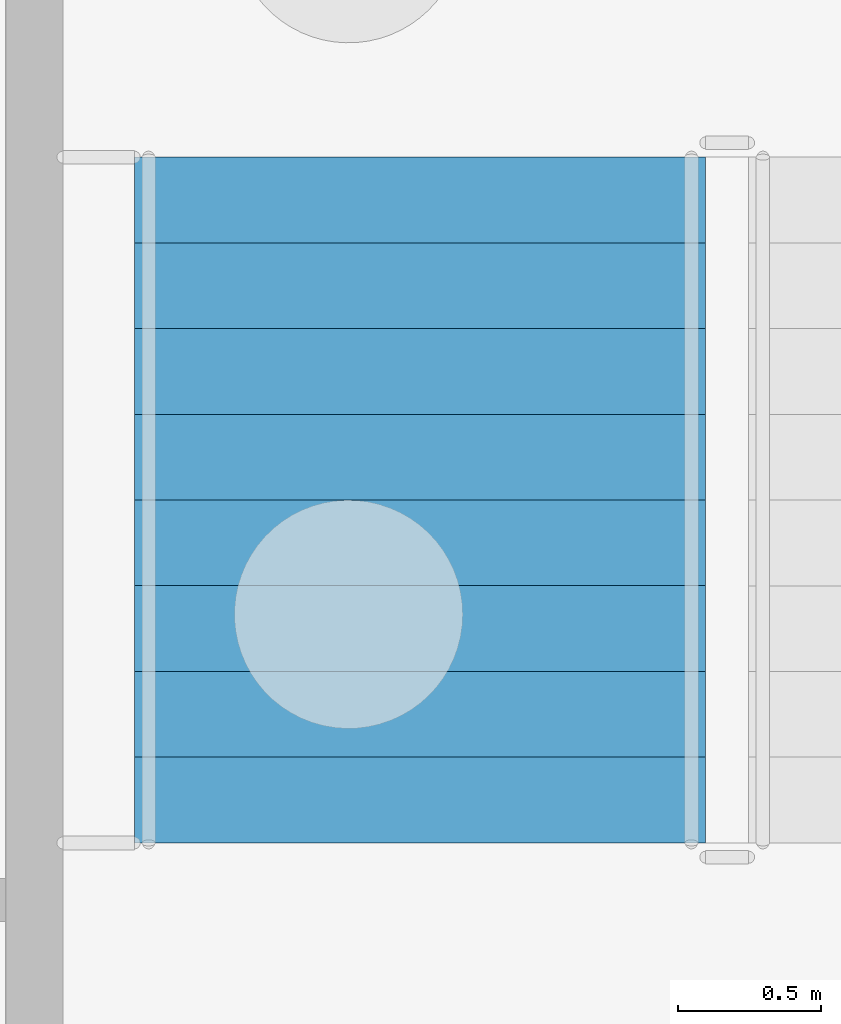
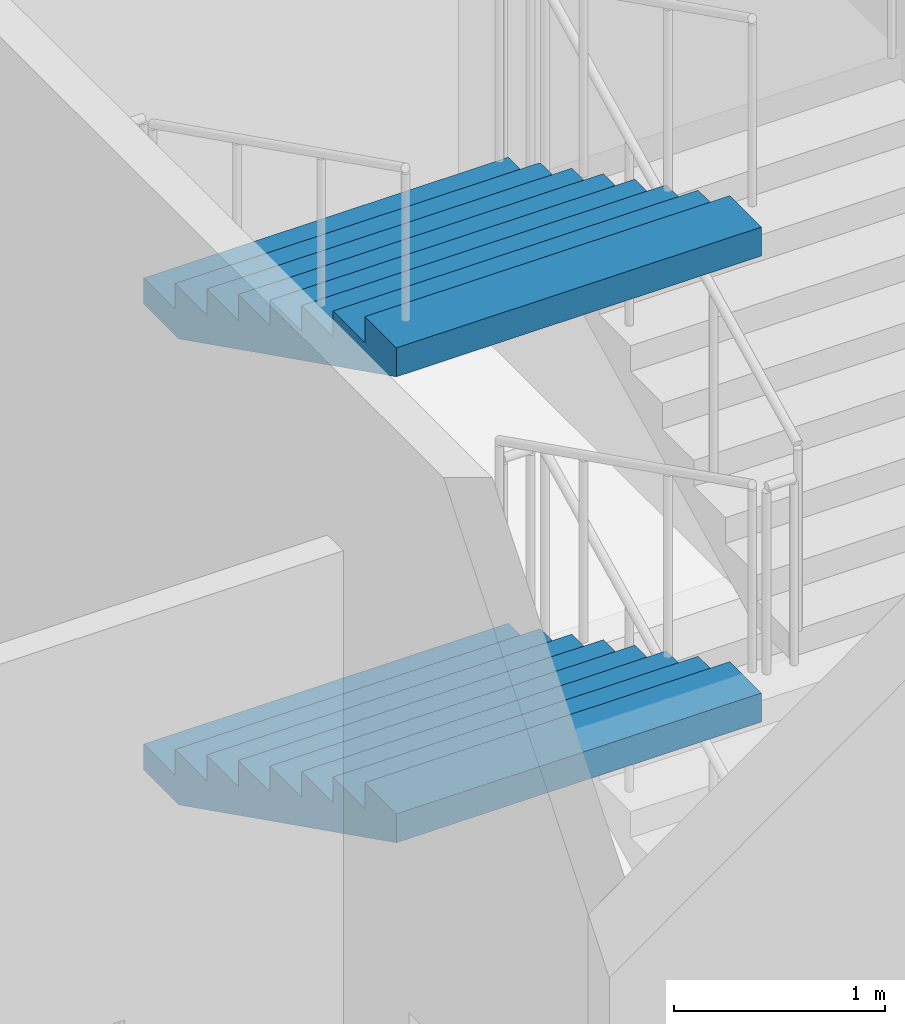
# One storey, part 70 of 129: 2 stair flights, 1 element without a shape of its own.
"""IFC4 building model written with IfcOpenShell, lengths in metres."""

from ifc_helpers import new_model, si_unit, direction, frame, origin, place, context, subcontext, project, spatial, faceted_brep, material, type_object, element, aggregate, save


model = new_model("IFC4")

# Units and contexts
model_context = context("Model", 3, precision=1e-05, world=origin(), true_north=direction((0.0, 1.0)))
body_context = subcontext(model_context, "Body", "Model", "MODEL_VIEW")
ifc_project = project(units=[si_unit("LENGTHUNIT", "METRE"), si_unit("AREAUNIT", "SQUARE_METRE"), si_unit("VOLUMEUNIT", "CUBIC_METRE"), si_unit("PLANEANGLEUNIT", "RADIAN"), si_unit("MASSUNIT", "GRAM", prefix="KILO")], contexts=[model_context])

# Site, building, storey
site_placement = place(None, origin())
site = spatial("IfcSite", under=ifc_project, at=site_placement, CompositionType="ELEMENT")
building_placement = place(site_placement, origin())
building = spatial("IfcBuilding", under=site, at=building_placement, Name="Kiln Court Media Centre", CompositionType="ELEMENT")
storey_placement = place(building_placement, origin())
storey = spatial("IfcBuildingStorey", under=building, at=storey_placement, Name="L00", CompositionType="ELEMENT", Elevation=0.0)

# Stair, stair flights
ifc_material_1 = material(Name="Concrete C40/50", Category="concrete")
stair_type = type_object("IfcStairType", Name="Concrete C40/50 dog-leg stair 2000 wide, 150 riser", PredefinedType="HALF_TURN_STAIR", material=ifc_material_1)
stair_placement = place(storey_placement, origin())
stair = element("IfcStair", 1, at=stair_placement, inside=storey, type_object=stair_type, Name="ST-05 L00", PredefinedType="HALF_TURN_STAIR")
ifc_material_2 = material(Name="Concrete C40/50", Category="concrete")
stair_flight_type = type_object("IfcStairFlightType", Name="Concrete C40/50 stair flight 2000 wide, 150 riser, 300 going", PredefinedType="STRAIGHT", material=ifc_material_2)
stair_flight_1_placement = place(storey_placement, frame((55.449951171875, 20.800048828125, 1.35009765625), z_axis=(0.0, 0.0, 1.0), x_axis=(0.0, -1.0, 0.0)))
stair_flight_1 = element("IfcStairFlight", 2, at=stair_flight_1_placement, type_object=stair_flight_type, Name="L00-ST-5004 flight 5017", NumberOfRisers=9, NumberOfTreads=8, PredefinedType="STRAIGHT", RiserHeight=0.15, TreadLength=0.3, context=body_context, shape_type="Brep", body=[
    faceted_brep([(0.335205078125, -1.0, 0.0), (2.39990234375, -1.0, 1.032470703125), (2.39990234375, -1.0, 1.199951171875), (2.10009765625, -1.0, 1.199951171875), (2.10009765625, -1.0, 1.050048828125), (1.800048828125, -1.0, 1.050048828125), (1.800048828125, -1.0, 0.89990234375), (1.5, -1.0, 0.89990234375), (1.5, -1.0, 0.75), (1.199951171875, -1.0, 0.75), (1.199951171875, -1.0, 0.60009765625), (0.89990234375, -1.0, 0.60009765625), (0.89990234375, -1.0, 0.449951171875), (0.60009765625, -1.0, 0.449951171875), (0.60009765625, -1.0, 0.300048828125), (0.300048828125, -1.0, 0.300048828125), (0.300048828125, -1.0, 0.14990234375), (0.0, -1.0, 0.14990234375), (0.0, -1.0, 0.0), (0.0, 1.0, 0.0), (0.0, 1.0, 0.14990234375), (0.300048828125, 1.0, 0.14990234375), (0.300048828125, 1.0, 0.300048828125), (0.60009765625, 1.0, 0.300048828125), (0.60009765625, 1.0, 0.449951171875), (0.89990234375, 1.0, 0.449951171875), (0.89990234375, 1.0, 0.60009765625), (1.199951171875, 1.0, 0.60009765625), (1.199951171875, 1.0, 0.75), (1.5, 1.0, 0.75), (1.5, 1.0, 0.89990234375), (1.800048828125, 1.0, 0.89990234375), (1.800048828125, 1.0, 1.050048828125), (2.10009765625, 1.0, 1.050048828125), (2.10009765625, 1.0, 1.199951171875), (2.39990234375, 1.0, 1.199951171875), (2.39990234375, 1.0, 1.032470703125), (0.335205078125, 1.0, 0.0), (2.39990234375, 0.10009765625, 1.032470703125), (0.335205078125, 0.10009765625, 0.0), (2.39990234375, 0.080078125, 1.032470703125), (0.335205078125, 0.080078125, 0.0), (2.39990234375, 0.06005859375, 1.032470703125), (0.335205078125, 0.06005859375, 0.0), (2.39990234375, 0.0400390625, 1.032470703125), (0.335205078125, 0.0400390625, 0.0), (2.39990234375, 0.02001953125, 1.032470703125), (0.335205078125, 0.02001953125, 0.0), (2.39990234375, 0.0, 1.032470703125), (0.335205078125, 0.0, 0.0), (2.39990234375, -0.02001953125, 1.032470703125), (0.335205078125, -0.02001953125, 0.0), (2.39990234375, -0.0400390625, 1.032470703125), (0.335205078125, -0.0400390625, 0.0), (2.39990234375, -0.06005859375, 1.032470703125), (0.335205078125, -0.06005859375, 0.0), (2.39990234375, -0.080078125, 1.032470703125), (0.335205078125, -0.080078125, 0.0), (2.39990234375, -0.10009765625, 1.032470703125), (0.335205078125, -0.10009765625, 0.0), (2.39990234375, 0.10009765625, 1.199951171875), (2.39990234375, 0.080078125, 1.199951171875), (2.39990234375, 0.06005859375, 1.199951171875), (2.39990234375, 0.0400390625, 1.199951171875), (2.39990234375, 0.02001953125, 1.199951171875), (2.39990234375, 0.0, 1.199951171875), (2.39990234375, -0.02001953125, 1.199951171875), (2.39990234375, -0.0400390625, 1.199951171875), (2.39990234375, -0.06005859375, 1.199951171875), (2.39990234375, -0.080078125, 1.199951171875), (2.39990234375, -0.10009765625, 1.199951171875), (2.10009765625, 0.10009765625, 1.199951171875), (2.10009765625, 0.080078125, 1.199951171875), (2.10009765625, 0.06005859375, 1.199951171875), (2.10009765625, 0.0400390625, 1.199951171875), (2.10009765625, 0.02001953125, 1.199951171875), (2.10009765625, 0.0, 1.199951171875), (2.10009765625, -0.02001953125, 1.199951171875), (2.10009765625, -0.0400390625, 1.199951171875), (2.10009765625, -0.06005859375, 1.199951171875), (2.10009765625, -0.080078125, 1.199951171875), (2.10009765625, -0.10009765625, 1.199951171875), (2.10009765625, 0.10009765625, 1.050048828125), (2.10009765625, 0.080078125, 1.050048828125), (2.10009765625, 0.06005859375, 1.050048828125), (2.10009765625, 0.0400390625, 1.050048828125), (2.10009765625, 0.02001953125, 1.050048828125), (2.10009765625, 0.0, 1.050048828125), (2.10009765625, -0.02001953125, 1.050048828125), (2.10009765625, -0.0400390625, 1.050048828125), (2.10009765625, -0.06005859375, 1.050048828125), (2.10009765625, -0.080078125, 1.050048828125), (2.10009765625, -0.10009765625, 1.050048828125), (1.800048828125, 0.10009765625, 1.050048828125), (1.800048828125, 0.080078125, 1.050048828125), (1.800048828125, 0.06005859375, 1.050048828125), (1.800048828125, 0.0400390625, 1.050048828125), (1.800048828125, 0.02001953125, 1.050048828125), (1.800048828125, 0.0, 1.050048828125), (1.800048828125, -0.02001953125, 1.050048828125), (1.800048828125, -0.0400390625, 1.050048828125), (1.800048828125, -0.06005859375, 1.050048828125), (1.800048828125, -0.080078125, 1.050048828125), (1.800048828125, -0.10009765625, 1.050048828125), (1.800048828125, 0.10009765625, 0.89990234375), (1.800048828125, 0.080078125, 0.89990234375), (1.800048828125, 0.06005859375, 0.89990234375), (1.800048828125, 0.0400390625, 0.89990234375), (1.800048828125, 0.02001953125, 0.89990234375), (1.800048828125, 0.0, 0.89990234375), (1.800048828125, -0.02001953125, 0.89990234375), (1.800048828125, -0.0400390625, 0.89990234375), (1.800048828125, -0.06005859375, 0.89990234375), (1.800048828125, -0.080078125, 0.89990234375), (1.800048828125, -0.10009765625, 0.89990234375), (1.5, 0.10009765625, 0.89990234375), (1.5, 0.080078125, 0.89990234375), (1.5, 0.06005859375, 0.89990234375), (1.5, 0.0400390625, 0.89990234375), (1.5, 0.02001953125, 0.89990234375), (1.5, 0.0, 0.89990234375), (1.5, -0.02001953125, 0.89990234375), (1.5, -0.0400390625, 0.89990234375), (1.5, -0.06005859375, 0.89990234375), (1.5, -0.080078125, 0.89990234375), (1.5, -0.10009765625, 0.89990234375), (1.5, 0.10009765625, 0.75), (1.5, 0.080078125, 0.75), (1.5, 0.06005859375, 0.75), (1.5, 0.0400390625, 0.75), (1.5, 0.02001953125, 0.75), (1.5, 0.0, 0.75), (1.5, -0.02001953125, 0.75), (1.5, -0.0400390625, 0.75), (1.5, -0.06005859375, 0.75), (1.5, -0.080078125, 0.75), (1.5, -0.10009765625, 0.75), (1.199951171875, 0.10009765625, 0.75), (1.199951171875, 0.080078125, 0.75), (1.199951171875, 0.06005859375, 0.75), (1.199951171875, 0.0400390625, 0.75), (1.199951171875, 0.02001953125, 0.75), (1.199951171875, 0.0, 0.75), (1.199951171875, -0.02001953125, 0.75), (1.199951171875, -0.0400390625, 0.75), (1.199951171875, -0.06005859375, 0.75), (1.199951171875, -0.080078125, 0.75), (1.199951171875, -0.10009765625, 0.75), (1.199951171875, 0.10009765625, 0.60009765625), (1.199951171875, 0.080078125, 0.60009765625), (1.199951171875, 0.06005859375, 0.60009765625), (1.199951171875, 0.0400390625, 0.60009765625), (1.199951171875, 0.02001953125, 0.60009765625), (1.199951171875, 0.0, 0.60009765625), (1.199951171875, -0.02001953125, 0.60009765625), (1.199951171875, -0.0400390625, 0.60009765625), (1.199951171875, -0.06005859375, 0.60009765625), (1.199951171875, -0.080078125, 0.60009765625), (1.199951171875, -0.10009765625, 0.60009765625), (0.89990234375, 0.10009765625, 0.60009765625), (0.89990234375, 0.080078125, 0.60009765625), (0.89990234375, 0.06005859375, 0.60009765625), (0.89990234375, 0.0400390625, 0.60009765625), (0.89990234375, 0.02001953125, 0.60009765625), (0.89990234375, 0.0, 0.60009765625), (0.89990234375, -0.02001953125, 0.60009765625), (0.89990234375, -0.0400390625, 0.60009765625), (0.89990234375, -0.06005859375, 0.60009765625), (0.89990234375, -0.080078125, 0.60009765625), (0.89990234375, -0.10009765625, 0.60009765625), (0.89990234375, 0.10009765625, 0.449951171875), (0.89990234375, 0.080078125, 0.449951171875), (0.89990234375, 0.06005859375, 0.449951171875), (0.89990234375, 0.0400390625, 0.449951171875), (0.89990234375, 0.02001953125, 0.449951171875), (0.89990234375, 0.0, 0.449951171875), (0.89990234375, -0.02001953125, 0.449951171875), (0.89990234375, -0.0400390625, 0.449951171875), (0.89990234375, -0.06005859375, 0.449951171875), (0.89990234375, -0.080078125, 0.449951171875), (0.89990234375, -0.10009765625, 0.449951171875), (0.60009765625, 0.10009765625, 0.449951171875), (0.60009765625, 0.080078125, 0.449951171875), (0.60009765625, 0.06005859375, 0.449951171875), (0.60009765625, 0.0400390625, 0.449951171875), (0.60009765625, 0.02001953125, 0.449951171875), (0.60009765625, 0.0, 0.449951171875), (0.60009765625, -0.02001953125, 0.449951171875), (0.60009765625, -0.0400390625, 0.449951171875), (0.60009765625, -0.06005859375, 0.449951171875), (0.60009765625, -0.080078125, 0.449951171875), (0.60009765625, -0.10009765625, 0.449951171875), (0.60009765625, 0.10009765625, 0.300048828125), (0.60009765625, 0.080078125, 0.300048828125), (0.60009765625, 0.06005859375, 0.300048828125), (0.60009765625, 0.0400390625, 0.300048828125), (0.60009765625, 0.02001953125, 0.300048828125), (0.60009765625, 0.0, 0.300048828125), (0.60009765625, -0.02001953125, 0.300048828125), (0.60009765625, -0.0400390625, 0.300048828125), (0.60009765625, -0.06005859375, 0.300048828125), (0.60009765625, -0.080078125, 0.300048828125), (0.60009765625, -0.10009765625, 0.300048828125), (0.300048828125, 0.10009765625, 0.300048828125), (0.300048828125, 0.080078125, 0.300048828125), (0.300048828125, 0.06005859375, 0.300048828125), (0.300048828125, 0.0400390625, 0.300048828125), (0.300048828125, 0.02001953125, 0.300048828125), (0.300048828125, 0.0, 0.300048828125), (0.300048828125, -0.02001953125, 0.300048828125), (0.300048828125, -0.0400390625, 0.300048828125), (0.300048828125, -0.06005859375, 0.300048828125), (0.300048828125, -0.080078125, 0.300048828125), (0.300048828125, -0.10009765625, 0.300048828125), (0.300048828125, 0.10009765625, 0.14990234375), (0.300048828125, 0.080078125, 0.14990234375), (0.300048828125, 0.06005859375, 0.14990234375), (0.300048828125, 0.0400390625, 0.14990234375), (0.300048828125, 0.02001953125, 0.14990234375), (0.300048828125, 0.0, 0.14990234375), (0.300048828125, -0.02001953125, 0.14990234375), (0.300048828125, -0.0400390625, 0.14990234375), (0.300048828125, -0.06005859375, 0.14990234375), (0.300048828125, -0.080078125, 0.14990234375), (0.300048828125, -0.10009765625, 0.14990234375), (0.0, 0.10009765625, 0.14990234375), (0.0, 0.080078125, 0.14990234375), (0.0, 0.06005859375, 0.14990234375), (0.0, 0.0400390625, 0.14990234375), (0.0, 0.02001953125, 0.14990234375), (0.0, 0.0, 0.14990234375), (0.0, -0.02001953125, 0.14990234375), (0.0, -0.0400390625, 0.14990234375), (0.0, -0.06005859375, 0.14990234375), (0.0, -0.080078125, 0.14990234375), (0.0, -0.10009765625, 0.14990234375), (0.0, 0.10009765625, 0.0), (0.0, 0.080078125, 0.0), (0.0, 0.06005859375, 0.0), (0.0, 0.0400390625, 0.0), (0.0, 0.02001953125, 0.0), (0.0, 0.0, 0.0), (0.0, -0.02001953125, 0.0), (0.0, -0.0400390625, 0.0), (0.0, -0.06005859375, 0.0), (0.0, -0.080078125, 0.0), (0.0, -0.10009765625, 0.0)], [[[0, 1, 2, 3, 4, 5, 6, 7, 8, 9, 10, 11, 12, 13, 14, 15, 16, 17, 18]], [[19, 20, 21, 22, 23, 24, 25, 26, 27, 28, 29, 30, 31, 32, 33, 34, 35, 36, 37]], [[37, 36, 38, 39]], [[39, 38, 40, 41]], [[41, 40, 42, 43]], [[43, 42, 44, 45]], [[45, 44, 46, 47]], [[47, 46, 48, 49]], [[49, 48, 50, 51]], [[51, 50, 52, 53]], [[53, 52, 54, 55]], [[55, 54, 56, 57]], [[57, 56, 58, 59]], [[59, 58, 1, 0]], [[36, 35, 60, 38]], [[38, 60, 61, 40]], [[40, 61, 62, 42]], [[42, 62, 63, 44]], [[44, 63, 64, 46]], [[46, 64, 65, 48]], [[48, 65, 66, 50]], [[50, 66, 67, 52]], [[52, 67, 68, 54]], [[54, 68, 69, 56]], [[56, 69, 70, 58]], [[58, 70, 2, 1]], [[35, 34, 71, 60]], [[60, 71, 72, 61]], [[61, 72, 73, 62]], [[62, 73, 74, 63]], [[63, 74, 75, 64]], [[64, 75, 76, 65]], [[65, 76, 77, 66]], [[66, 77, 78, 67]], [[67, 78, 79, 68]], [[68, 79, 80, 69]], [[69, 80, 81, 70]], [[70, 81, 3, 2]], [[34, 33, 82, 71]], [[71, 82, 83, 72]], [[72, 83, 84, 73]], [[73, 84, 85, 74]], [[74, 85, 86, 75]], [[75, 86, 87, 76]], [[76, 87, 88, 77]], [[77, 88, 89, 78]], [[78, 89, 90, 79]], [[79, 90, 91, 80]], [[80, 91, 92, 81]], [[81, 92, 4, 3]], [[33, 32, 93, 82]], [[82, 93, 94, 83]], [[83, 94, 95, 84]], [[84, 95, 96, 85]], [[85, 96, 97, 86]], [[86, 97, 98, 87]], [[87, 98, 99, 88]], [[88, 99, 100, 89]], [[89, 100, 101, 90]], [[90, 101, 102, 91]], [[91, 102, 103, 92]], [[92, 103, 5, 4]], [[32, 31, 104, 93]], [[93, 104, 105, 94]], [[94, 105, 106, 95]], [[95, 106, 107, 96]], [[96, 107, 108, 97]], [[97, 108, 109, 98]], [[98, 109, 110, 99]], [[99, 110, 111, 100]], [[100, 111, 112, 101]], [[101, 112, 113, 102]], [[102, 113, 114, 103]], [[103, 114, 6, 5]], [[31, 30, 115, 104]], [[104, 115, 116, 105]], [[105, 116, 117, 106]], [[106, 117, 118, 107]], [[107, 118, 119, 108]], [[108, 119, 120, 109]], [[109, 120, 121, 110]], [[110, 121, 122, 111]], [[111, 122, 123, 112]], [[112, 123, 124, 113]], [[113, 124, 125, 114]], [[114, 125, 7, 6]], [[30, 29, 126, 115]], [[115, 126, 127, 116]], [[116, 127, 128, 117]], [[117, 128, 129, 118]], [[118, 129, 130, 119]], [[119, 130, 131, 120]], [[120, 131, 132, 121]], [[121, 132, 133, 122]], [[122, 133, 134, 123]], [[123, 134, 135, 124]], [[124, 135, 136, 125]], [[125, 136, 8, 7]], [[29, 28, 137, 126]], [[126, 137, 138, 127]], [[127, 138, 139, 128]], [[128, 139, 140, 129]], [[129, 140, 141, 130]], [[130, 141, 142, 131]], [[131, 142, 143, 132]], [[132, 143, 144, 133]], [[133, 144, 145, 134]], [[134, 145, 146, 135]], [[135, 146, 147, 136]], [[136, 147, 9, 8]], [[28, 27, 148, 137]], [[137, 148, 149, 138]], [[138, 149, 150, 139]], [[139, 150, 151, 140]], [[140, 151, 152, 141]], [[141, 152, 153, 142]], [[142, 153, 154, 143]], [[143, 154, 155, 144]], [[144, 155, 156, 145]], [[145, 156, 157, 146]], [[146, 157, 158, 147]], [[147, 158, 10, 9]], [[27, 26, 159, 148]], [[148, 159, 160, 149]], [[149, 160, 161, 150]], [[150, 161, 162, 151]], [[151, 162, 163, 152]], [[152, 163, 164, 153]], [[153, 164, 165, 154]], [[154, 165, 166, 155]], [[155, 166, 167, 156]], [[156, 167, 168, 157]], [[157, 168, 169, 158]], [[158, 169, 11, 10]], [[26, 25, 170, 159]], [[159, 170, 171, 160]], [[160, 171, 172, 161]], [[161, 172, 173, 162]], [[162, 173, 174, 163]], [[163, 174, 175, 164]], [[164, 175, 176, 165]], [[165, 176, 177, 166]], [[166, 177, 178, 167]], [[167, 178, 179, 168]], [[168, 179, 180, 169]], [[169, 180, 12, 11]], [[25, 24, 181, 170]], [[170, 181, 182, 171]], [[171, 182, 183, 172]], [[172, 183, 184, 173]], [[173, 184, 185, 174]], [[174, 185, 186, 175]], [[175, 186, 187, 176]], [[176, 187, 188, 177]], [[177, 188, 189, 178]], [[178, 189, 190, 179]], [[179, 190, 191, 180]], [[180, 191, 13, 12]], [[24, 23, 192, 181]], [[181, 192, 193, 182]], [[182, 193, 194, 183]], [[183, 194, 195, 184]], [[184, 195, 196, 185]], [[185, 196, 197, 186]], [[186, 197, 198, 187]], [[187, 198, 199, 188]], [[188, 199, 200, 189]], [[189, 200, 201, 190]], [[190, 201, 202, 191]], [[191, 202, 14, 13]], [[23, 22, 203, 192]], [[192, 203, 204, 193]], [[193, 204, 205, 194]], [[194, 205, 206, 195]], [[195, 206, 207, 196]], [[196, 207, 208, 197]], [[197, 208, 209, 198]], [[198, 209, 210, 199]], [[199, 210, 211, 200]], [[200, 211, 212, 201]], [[201, 212, 213, 202]], [[202, 213, 15, 14]], [[22, 21, 214, 203]], [[203, 214, 215, 204]], [[204, 215, 216, 205]], [[205, 216, 217, 206]], [[206, 217, 218, 207]], [[207, 218, 219, 208]], [[208, 219, 220, 209]], [[209, 220, 221, 210]], [[210, 221, 222, 211]], [[211, 222, 223, 212]], [[212, 223, 224, 213]], [[213, 224, 16, 15]], [[21, 20, 225, 214]], [[214, 225, 226, 215]], [[215, 226, 227, 216]], [[216, 227, 228, 217]], [[217, 228, 229, 218]], [[218, 229, 230, 219]], [[219, 230, 231, 220]], [[220, 231, 232, 221]], [[221, 232, 233, 222]], [[222, 233, 234, 223]], [[223, 234, 235, 224]], [[224, 235, 17, 16]], [[20, 19, 236, 225]], [[225, 236, 237, 226]], [[226, 237, 238, 227]], [[227, 238, 239, 228]], [[228, 239, 240, 229]], [[229, 240, 241, 230]], [[230, 241, 242, 231]], [[231, 242, 243, 232]], [[232, 243, 244, 233]], [[233, 244, 245, 234]], [[234, 245, 246, 235]], [[235, 246, 18, 17]], [[19, 37, 39, 236]], [[236, 39, 41, 237]], [[237, 41, 43, 238]], [[238, 43, 45, 239]], [[239, 45, 47, 240]], [[240, 47, 49, 241]], [[241, 49, 51, 242]], [[242, 51, 53, 243]], [[243, 53, 55, 244]], [[244, 55, 57, 245]], [[245, 57, 59, 246]], [[246, 59, 0, 18]]]),
])
stair_flight_2_placement = place(storey_placement, frame((55.449951171875, 20.800048828125, 4.050048828125), z_axis=(0.0, 0.0, 1.0), x_axis=(0.0, -1.0, 0.0)))
stair_flight_2 = element("IfcStairFlight", 3, at=stair_flight_2_placement, type_object=stair_flight_type, Name="L00-ST-5004 flight 5019", NumberOfRisers=9, NumberOfTreads=8, PredefinedType="STRAIGHT", RiserHeight=0.15, TreadLength=0.3, context=body_context, shape_type="Brep", body=[
    faceted_brep([(0.335205078125, -1.0, 0.0), (2.39990234375, -1.0, 1.032470703125), (2.39990234375, -1.0, 1.199951171875), (2.10009765625, -1.0, 1.199951171875), (2.10009765625, -1.0, 1.050048828125), (1.800048828125, -1.0, 1.050048828125), (1.800048828125, -1.0, 0.89990234375), (1.5, -1.0, 0.89990234375), (1.5, -1.0, 0.75), (1.199951171875, -1.0, 0.75), (1.199951171875, -1.0, 0.60009765625), (0.89990234375, -1.0, 0.60009765625), (0.89990234375, -1.0, 0.449951171875), (0.60009765625, -1.0, 0.449951171875), (0.60009765625, -1.0, 0.300048828125), (0.300048828125, -1.0, 0.300048828125), (0.300048828125, -1.0, 0.14990234375), (0.0, -1.0, 0.14990234375), (0.0, -1.0, 0.0), (0.0, 1.0, 0.0), (0.0, 1.0, 0.14990234375), (0.300048828125, 1.0, 0.14990234375), (0.300048828125, 1.0, 0.300048828125), (0.60009765625, 1.0, 0.300048828125), (0.60009765625, 1.0, 0.449951171875), (0.89990234375, 1.0, 0.449951171875), (0.89990234375, 1.0, 0.60009765625), (1.199951171875, 1.0, 0.60009765625), (1.199951171875, 1.0, 0.75), (1.5, 1.0, 0.75), (1.5, 1.0, 0.89990234375), (1.800048828125, 1.0, 0.89990234375), (1.800048828125, 1.0, 1.050048828125), (2.10009765625, 1.0, 1.050048828125), (2.10009765625, 1.0, 1.199951171875), (2.39990234375, 1.0, 1.199951171875), (2.39990234375, 1.0, 1.032470703125), (0.335205078125, 1.0, 0.0), (2.39990234375, 0.10009765625, 1.032470703125), (0.335205078125, 0.10009765625, 0.0), (2.39990234375, 0.080078125, 1.032470703125), (0.335205078125, 0.080078125, 0.0), (2.39990234375, 0.06005859375, 1.032470703125), (0.335205078125, 0.06005859375, 0.0), (2.39990234375, 0.0400390625, 1.032470703125), (0.335205078125, 0.0400390625, 0.0), (2.39990234375, 0.02001953125, 1.032470703125), (0.335205078125, 0.02001953125, 0.0), (2.39990234375, 0.0, 1.032470703125), (0.335205078125, 0.0, 0.0), (2.39990234375, -0.02001953125, 1.032470703125), (0.335205078125, -0.02001953125, 0.0), (2.39990234375, -0.0400390625, 1.032470703125), (0.335205078125, -0.0400390625, 0.0), (2.39990234375, -0.06005859375, 1.032470703125), (0.335205078125, -0.06005859375, 0.0), (2.39990234375, -0.080078125, 1.032470703125), (0.335205078125, -0.080078125, 0.0), (2.39990234375, -0.10009765625, 1.032470703125), (0.335205078125, -0.10009765625, 0.0), (2.39990234375, 0.10009765625, 1.199951171875), (2.39990234375, 0.080078125, 1.199951171875), (2.39990234375, 0.06005859375, 1.199951171875), (2.39990234375, 0.0400390625, 1.199951171875), (2.39990234375, 0.02001953125, 1.199951171875), (2.39990234375, 0.0, 1.199951171875), (2.39990234375, -0.02001953125, 1.199951171875), (2.39990234375, -0.0400390625, 1.199951171875), (2.39990234375, -0.06005859375, 1.199951171875), (2.39990234375, -0.080078125, 1.199951171875), (2.39990234375, -0.10009765625, 1.199951171875), (2.10009765625, 0.10009765625, 1.199951171875), (2.10009765625, 0.080078125, 1.199951171875), (2.10009765625, 0.06005859375, 1.199951171875), (2.10009765625, 0.0400390625, 1.199951171875), (2.10009765625, 0.02001953125, 1.199951171875), (2.10009765625, 0.0, 1.199951171875), (2.10009765625, -0.02001953125, 1.199951171875), (2.10009765625, -0.0400390625, 1.199951171875), (2.10009765625, -0.06005859375, 1.199951171875), (2.10009765625, -0.080078125, 1.199951171875), (2.10009765625, -0.10009765625, 1.199951171875), (2.10009765625, 0.10009765625, 1.050048828125), (2.10009765625, 0.080078125, 1.050048828125), (2.10009765625, 0.06005859375, 1.050048828125), (2.10009765625, 0.0400390625, 1.050048828125), (2.10009765625, 0.02001953125, 1.050048828125), (2.10009765625, 0.0, 1.050048828125), (2.10009765625, -0.02001953125, 1.050048828125), (2.10009765625, -0.0400390625, 1.050048828125), (2.10009765625, -0.06005859375, 1.050048828125), (2.10009765625, -0.080078125, 1.050048828125), (2.10009765625, -0.10009765625, 1.050048828125), (1.800048828125, 0.10009765625, 1.050048828125), (1.800048828125, 0.080078125, 1.050048828125), (1.800048828125, 0.06005859375, 1.050048828125), (1.800048828125, 0.0400390625, 1.050048828125), (1.800048828125, 0.02001953125, 1.050048828125), (1.800048828125, 0.0, 1.050048828125), (1.800048828125, -0.02001953125, 1.050048828125), (1.800048828125, -0.0400390625, 1.050048828125), (1.800048828125, -0.06005859375, 1.050048828125), (1.800048828125, -0.080078125, 1.050048828125), (1.800048828125, -0.10009765625, 1.050048828125), (1.800048828125, 0.10009765625, 0.89990234375), (1.800048828125, 0.080078125, 0.89990234375), (1.800048828125, 0.06005859375, 0.89990234375), (1.800048828125, 0.0400390625, 0.89990234375), (1.800048828125, 0.02001953125, 0.89990234375), (1.800048828125, 0.0, 0.89990234375), (1.800048828125, -0.02001953125, 0.89990234375), (1.800048828125, -0.0400390625, 0.89990234375), (1.800048828125, -0.06005859375, 0.89990234375), (1.800048828125, -0.080078125, 0.89990234375), (1.800048828125, -0.10009765625, 0.89990234375), (1.5, 0.10009765625, 0.89990234375), (1.5, 0.080078125, 0.89990234375), (1.5, 0.06005859375, 0.89990234375), (1.5, 0.0400390625, 0.89990234375), (1.5, 0.02001953125, 0.89990234375), (1.5, 0.0, 0.89990234375), (1.5, -0.02001953125, 0.89990234375), (1.5, -0.0400390625, 0.89990234375), (1.5, -0.06005859375, 0.89990234375), (1.5, -0.080078125, 0.89990234375), (1.5, -0.10009765625, 0.89990234375), (1.5, 0.10009765625, 0.75), (1.5, 0.080078125, 0.75), (1.5, 0.06005859375, 0.75), (1.5, 0.0400390625, 0.75), (1.5, 0.02001953125, 0.75), (1.5, 0.0, 0.75), (1.5, -0.02001953125, 0.75), (1.5, -0.0400390625, 0.75), (1.5, -0.06005859375, 0.75), (1.5, -0.080078125, 0.75), (1.5, -0.10009765625, 0.75), (1.199951171875, 0.10009765625, 0.75), (1.199951171875, 0.080078125, 0.75), (1.199951171875, 0.06005859375, 0.75), (1.199951171875, 0.0400390625, 0.75), (1.199951171875, 0.02001953125, 0.75), (1.199951171875, 0.0, 0.75), (1.199951171875, -0.02001953125, 0.75), (1.199951171875, -0.0400390625, 0.75), (1.199951171875, -0.06005859375, 0.75), (1.199951171875, -0.080078125, 0.75), (1.199951171875, -0.10009765625, 0.75), (1.199951171875, 0.10009765625, 0.60009765625), (1.199951171875, 0.080078125, 0.60009765625), (1.199951171875, 0.06005859375, 0.60009765625), (1.199951171875, 0.0400390625, 0.60009765625), (1.199951171875, 0.02001953125, 0.60009765625), (1.199951171875, 0.0, 0.60009765625), (1.199951171875, -0.02001953125, 0.60009765625), (1.199951171875, -0.0400390625, 0.60009765625), (1.199951171875, -0.06005859375, 0.60009765625), (1.199951171875, -0.080078125, 0.60009765625), (1.199951171875, -0.10009765625, 0.60009765625), (0.89990234375, 0.10009765625, 0.60009765625), (0.89990234375, 0.080078125, 0.60009765625), (0.89990234375, 0.06005859375, 0.60009765625), (0.89990234375, 0.0400390625, 0.60009765625), (0.89990234375, 0.02001953125, 0.60009765625), (0.89990234375, 0.0, 0.60009765625), (0.89990234375, -0.02001953125, 0.60009765625), (0.89990234375, -0.0400390625, 0.60009765625), (0.89990234375, -0.06005859375, 0.60009765625), (0.89990234375, -0.080078125, 0.60009765625), (0.89990234375, -0.10009765625, 0.60009765625), (0.89990234375, 0.10009765625, 0.449951171875), (0.89990234375, 0.080078125, 0.449951171875), (0.89990234375, 0.06005859375, 0.449951171875), (0.89990234375, 0.0400390625, 0.449951171875), (0.89990234375, 0.02001953125, 0.449951171875), (0.89990234375, 0.0, 0.449951171875), (0.89990234375, -0.02001953125, 0.449951171875), (0.89990234375, -0.0400390625, 0.449951171875), (0.89990234375, -0.06005859375, 0.449951171875), (0.89990234375, -0.080078125, 0.449951171875), (0.89990234375, -0.10009765625, 0.449951171875), (0.60009765625, 0.10009765625, 0.449951171875), (0.60009765625, 0.080078125, 0.449951171875), (0.60009765625, 0.06005859375, 0.449951171875), (0.60009765625, 0.0400390625, 0.449951171875), (0.60009765625, 0.02001953125, 0.449951171875), (0.60009765625, 0.0, 0.449951171875), (0.60009765625, -0.02001953125, 0.449951171875), (0.60009765625, -0.0400390625, 0.449951171875), (0.60009765625, -0.06005859375, 0.449951171875), (0.60009765625, -0.080078125, 0.449951171875), (0.60009765625, -0.10009765625, 0.449951171875), (0.60009765625, 0.10009765625, 0.300048828125), (0.60009765625, 0.080078125, 0.300048828125), (0.60009765625, 0.06005859375, 0.300048828125), (0.60009765625, 0.0400390625, 0.300048828125), (0.60009765625, 0.02001953125, 0.300048828125), (0.60009765625, 0.0, 0.300048828125), (0.60009765625, -0.02001953125, 0.300048828125), (0.60009765625, -0.0400390625, 0.300048828125), (0.60009765625, -0.06005859375, 0.300048828125), (0.60009765625, -0.080078125, 0.300048828125), (0.60009765625, -0.10009765625, 0.300048828125), (0.300048828125, 0.10009765625, 0.300048828125), (0.300048828125, 0.080078125, 0.300048828125), (0.300048828125, 0.06005859375, 0.300048828125), (0.300048828125, 0.0400390625, 0.300048828125), (0.300048828125, 0.02001953125, 0.300048828125), (0.300048828125, 0.0, 0.300048828125), (0.300048828125, -0.02001953125, 0.300048828125), (0.300048828125, -0.0400390625, 0.300048828125), (0.300048828125, -0.06005859375, 0.300048828125), (0.300048828125, -0.080078125, 0.300048828125), (0.300048828125, -0.10009765625, 0.300048828125), (0.300048828125, 0.10009765625, 0.14990234375), (0.300048828125, 0.080078125, 0.14990234375), (0.300048828125, 0.06005859375, 0.14990234375), (0.300048828125, 0.0400390625, 0.14990234375), (0.300048828125, 0.02001953125, 0.14990234375), (0.300048828125, 0.0, 0.14990234375), (0.300048828125, -0.02001953125, 0.14990234375), (0.300048828125, -0.0400390625, 0.14990234375), (0.300048828125, -0.06005859375, 0.14990234375), (0.300048828125, -0.080078125, 0.14990234375), (0.300048828125, -0.10009765625, 0.14990234375), (0.0, 0.10009765625, 0.14990234375), (0.0, 0.080078125, 0.14990234375), (0.0, 0.06005859375, 0.14990234375), (0.0, 0.0400390625, 0.14990234375), (0.0, 0.02001953125, 0.14990234375), (0.0, 0.0, 0.14990234375), (0.0, -0.02001953125, 0.14990234375), (0.0, -0.0400390625, 0.14990234375), (0.0, -0.06005859375, 0.14990234375), (0.0, -0.080078125, 0.14990234375), (0.0, -0.10009765625, 0.14990234375), (0.0, 0.10009765625, 0.0), (0.0, 0.080078125, 0.0), (0.0, 0.06005859375, 0.0), (0.0, 0.0400390625, 0.0), (0.0, 0.02001953125, 0.0), (0.0, 0.0, 0.0), (0.0, -0.02001953125, 0.0), (0.0, -0.0400390625, 0.0), (0.0, -0.06005859375, 0.0), (0.0, -0.080078125, 0.0), (0.0, -0.10009765625, 0.0)], [[[0, 1, 2, 3, 4, 5, 6, 7, 8, 9, 10, 11, 12, 13, 14, 15, 16, 17, 18]], [[19, 20, 21, 22, 23, 24, 25, 26, 27, 28, 29, 30, 31, 32, 33, 34, 35, 36, 37]], [[37, 36, 38, 39]], [[39, 38, 40, 41]], [[41, 40, 42, 43]], [[43, 42, 44, 45]], [[45, 44, 46, 47]], [[47, 46, 48, 49]], [[49, 48, 50, 51]], [[51, 50, 52, 53]], [[53, 52, 54, 55]], [[55, 54, 56, 57]], [[57, 56, 58, 59]], [[59, 58, 1, 0]], [[36, 35, 60, 38]], [[38, 60, 61, 40]], [[40, 61, 62, 42]], [[42, 62, 63, 44]], [[44, 63, 64, 46]], [[46, 64, 65, 48]], [[48, 65, 66, 50]], [[50, 66, 67, 52]], [[52, 67, 68, 54]], [[54, 68, 69, 56]], [[56, 69, 70, 58]], [[58, 70, 2, 1]], [[35, 34, 71, 60]], [[60, 71, 72, 61]], [[61, 72, 73, 62]], [[62, 73, 74, 63]], [[63, 74, 75, 64]], [[64, 75, 76, 65]], [[65, 76, 77, 66]], [[66, 77, 78, 67]], [[67, 78, 79, 68]], [[68, 79, 80, 69]], [[69, 80, 81, 70]], [[70, 81, 3, 2]], [[34, 33, 82, 71]], [[71, 82, 83, 72]], [[72, 83, 84, 73]], [[73, 84, 85, 74]], [[74, 85, 86, 75]], [[75, 86, 87, 76]], [[76, 87, 88, 77]], [[77, 88, 89, 78]], [[78, 89, 90, 79]], [[79, 90, 91, 80]], [[80, 91, 92, 81]], [[81, 92, 4, 3]], [[33, 32, 93, 82]], [[82, 93, 94, 83]], [[83, 94, 95, 84]], [[84, 95, 96, 85]], [[85, 96, 97, 86]], [[86, 97, 98, 87]], [[87, 98, 99, 88]], [[88, 99, 100, 89]], [[89, 100, 101, 90]], [[90, 101, 102, 91]], [[91, 102, 103, 92]], [[92, 103, 5, 4]], [[32, 31, 104, 93]], [[93, 104, 105, 94]], [[94, 105, 106, 95]], [[95, 106, 107, 96]], [[96, 107, 108, 97]], [[97, 108, 109, 98]], [[98, 109, 110, 99]], [[99, 110, 111, 100]], [[100, 111, 112, 101]], [[101, 112, 113, 102]], [[102, 113, 114, 103]], [[103, 114, 6, 5]], [[31, 30, 115, 104]], [[104, 115, 116, 105]], [[105, 116, 117, 106]], [[106, 117, 118, 107]], [[107, 118, 119, 108]], [[108, 119, 120, 109]], [[109, 120, 121, 110]], [[110, 121, 122, 111]], [[111, 122, 123, 112]], [[112, 123, 124, 113]], [[113, 124, 125, 114]], [[114, 125, 7, 6]], [[30, 29, 126, 115]], [[115, 126, 127, 116]], [[116, 127, 128, 117]], [[117, 128, 129, 118]], [[118, 129, 130, 119]], [[119, 130, 131, 120]], [[120, 131, 132, 121]], [[121, 132, 133, 122]], [[122, 133, 134, 123]], [[123, 134, 135, 124]], [[124, 135, 136, 125]], [[125, 136, 8, 7]], [[29, 28, 137, 126]], [[126, 137, 138, 127]], [[127, 138, 139, 128]], [[128, 139, 140, 129]], [[129, 140, 141, 130]], [[130, 141, 142, 131]], [[131, 142, 143, 132]], [[132, 143, 144, 133]], [[133, 144, 145, 134]], [[134, 145, 146, 135]], [[135, 146, 147, 136]], [[136, 147, 9, 8]], [[28, 27, 148, 137]], [[137, 148, 149, 138]], [[138, 149, 150, 139]], [[139, 150, 151, 140]], [[140, 151, 152, 141]], [[141, 152, 153, 142]], [[142, 153, 154, 143]], [[143, 154, 155, 144]], [[144, 155, 156, 145]], [[145, 156, 157, 146]], [[146, 157, 158, 147]], [[147, 158, 10, 9]], [[27, 26, 159, 148]], [[148, 159, 160, 149]], [[149, 160, 161, 150]], [[150, 161, 162, 151]], [[151, 162, 163, 152]], [[152, 163, 164, 153]], [[153, 164, 165, 154]], [[154, 165, 166, 155]], [[155, 166, 167, 156]], [[156, 167, 168, 157]], [[157, 168, 169, 158]], [[158, 169, 11, 10]], [[26, 25, 170, 159]], [[159, 170, 171, 160]], [[160, 171, 172, 161]], [[161, 172, 173, 162]], [[162, 173, 174, 163]], [[163, 174, 175, 164]], [[164, 175, 176, 165]], [[165, 176, 177, 166]], [[166, 177, 178, 167]], [[167, 178, 179, 168]], [[168, 179, 180, 169]], [[169, 180, 12, 11]], [[25, 24, 181, 170]], [[170, 181, 182, 171]], [[171, 182, 183, 172]], [[172, 183, 184, 173]], [[173, 184, 185, 174]], [[174, 185, 186, 175]], [[175, 186, 187, 176]], [[176, 187, 188, 177]], [[177, 188, 189, 178]], [[178, 189, 190, 179]], [[179, 190, 191, 180]], [[180, 191, 13, 12]], [[24, 23, 192, 181]], [[181, 192, 193, 182]], [[182, 193, 194, 183]], [[183, 194, 195, 184]], [[184, 195, 196, 185]], [[185, 196, 197, 186]], [[186, 197, 198, 187]], [[187, 198, 199, 188]], [[188, 199, 200, 189]], [[189, 200, 201, 190]], [[190, 201, 202, 191]], [[191, 202, 14, 13]], [[23, 22, 203, 192]], [[192, 203, 204, 193]], [[193, 204, 205, 194]], [[194, 205, 206, 195]], [[195, 206, 207, 196]], [[196, 207, 208, 197]], [[197, 208, 209, 198]], [[198, 209, 210, 199]], [[199, 210, 211, 200]], [[200, 211, 212, 201]], [[201, 212, 213, 202]], [[202, 213, 15, 14]], [[22, 21, 214, 203]], [[203, 214, 215, 204]], [[204, 215, 216, 205]], [[205, 216, 217, 206]], [[206, 217, 218, 207]], [[207, 218, 219, 208]], [[208, 219, 220, 209]], [[209, 220, 221, 210]], [[210, 221, 222, 211]], [[211, 222, 223, 212]], [[212, 223, 224, 213]], [[213, 224, 16, 15]], [[21, 20, 225, 214]], [[214, 225, 226, 215]], [[215, 226, 227, 216]], [[216, 227, 228, 217]], [[217, 228, 229, 218]], [[218, 229, 230, 219]], [[219, 230, 231, 220]], [[220, 231, 232, 221]], [[221, 232, 233, 222]], [[222, 233, 234, 223]], [[223, 234, 235, 224]], [[224, 235, 17, 16]], [[20, 19, 236, 225]], [[225, 236, 237, 226]], [[226, 237, 238, 227]], [[227, 238, 239, 228]], [[228, 239, 240, 229]], [[229, 240, 241, 230]], [[230, 241, 242, 231]], [[231, 242, 243, 232]], [[232, 243, 244, 233]], [[233, 244, 245, 234]], [[234, 245, 246, 235]], [[235, 246, 18, 17]], [[19, 37, 39, 236]], [[236, 39, 41, 237]], [[237, 41, 43, 238]], [[238, 43, 45, 239]], [[239, 45, 47, 240]], [[240, 47, 49, 241]], [[241, 49, 51, 242]], [[242, 51, 53, 243]], [[243, 53, 55, 244]], [[244, 55, 57, 245]], [[245, 57, 59, 246]], [[246, 59, 0, 18]]]),
])
aggregate(stair, [stair_flight_1, stair_flight_2])

save(model, "model.ifc")
